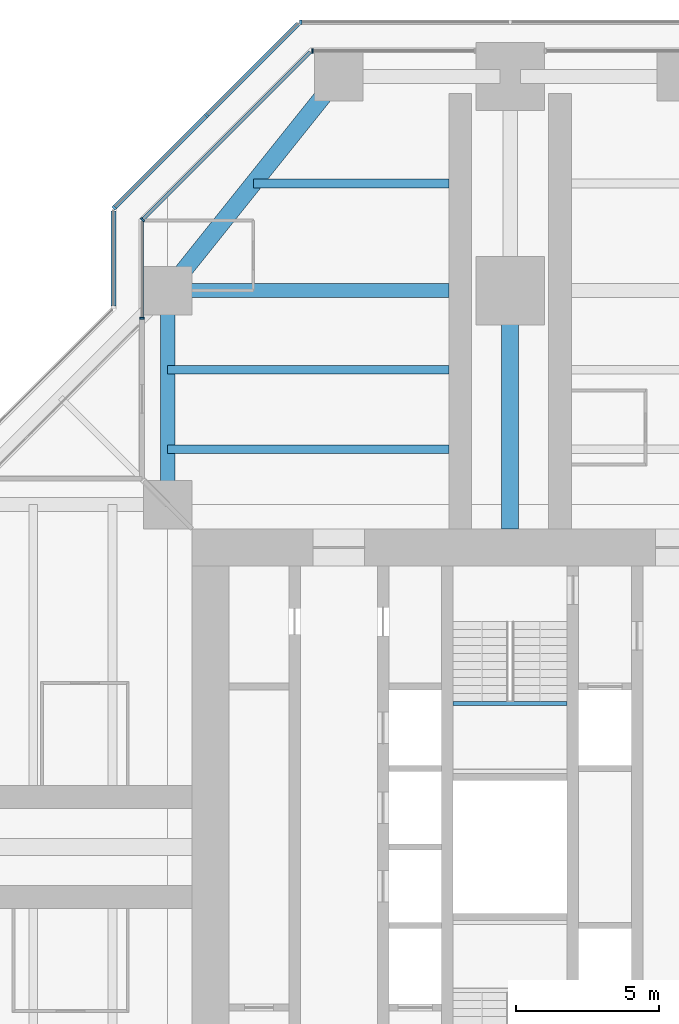
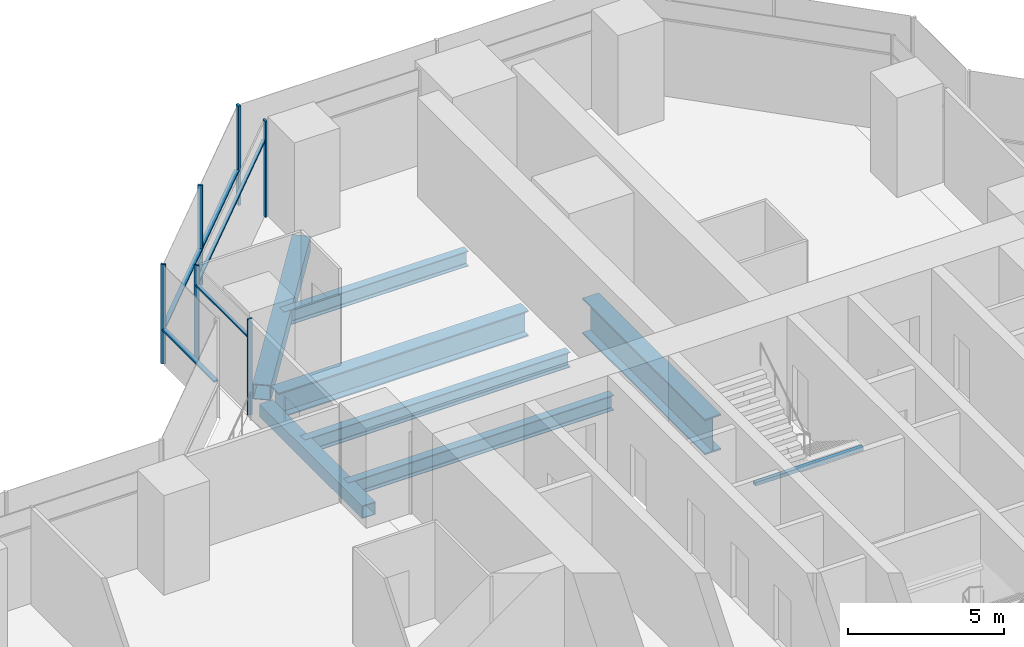
# One storey, part 8 of 20: 11 members, 8 beams, 6 elements without a shape of their own.
"""IFC4 building model written with IfcOpenShell, lengths in metres."""

from ifc_helpers import new_model, si_unit, direction, frame, origin, origin_2d, place, context, subcontext, project, spatial, rectangle, hollow_rectangle, i_section, extrude, material, material_profile, profile_set, type_object, element, aggregate, save


model = new_model("IFC4")

# Units and contexts
model_context = context("Model", 3, precision=1e-05, world=origin(), true_north=direction((0.0, 1.0)))
body_context = subcontext(model_context, "Body", "Model", "MODEL_VIEW")
ifc_project = project(units=[si_unit("LENGTHUNIT", "METRE"), si_unit("AREAUNIT", "SQUARE_METRE"), si_unit("VOLUMEUNIT", "CUBIC_METRE"), si_unit("PLANEANGLEUNIT", "RADIAN"), si_unit("MASSUNIT", "GRAM", prefix="KILO")], contexts=[model_context])

# Site, building, storey
site_placement = place(None, origin())
site = spatial("IfcSite", under=ifc_project, at=site_placement, CompositionType="ELEMENT")
building_placement = place(site_placement, origin())
building = spatial("IfcBuilding", under=site, at=building_placement, Name="Mizan Broadcast Tower", CompositionType="ELEMENT")
storey_placement = place(building_placement, frame((0.0, 0.0, 155.39990234375)))
storey = spatial("IfcBuildingStorey", under=building, at=storey_placement, Name="L35", CompositionType="ELEMENT", Elevation=155.39990234375)

# Beams
ifc_material_1 = material(Name="Steel S355", Category="steel")
ifc_material_profile_1 = material_profile(ifc_material_1, hollow_rectangle(XDim=0.5, YDim=0.5, WallThickness=0.030029296875, at=origin_2d()), Name="BOX 500x500x30")
ifc_profile_set_1 = profile_set([ifc_material_profile_1], Name="Steel S355")
beam_type_1 = type_object("IfcBeamType", Name="EDGE BEAM BOX 500x500x30", PredefinedType="SPANDREL", material=ifc_profile_set_1)
beam_1_placement = place(storey_placement, frame((-12.0, 12.449951171875, -0.3798828125), z_axis=(0.0, 1.0, 0.0), x_axis=(-1.0, 0.0, 0.0)))
element("IfcBeam", 1, at=beam_1_placement, inside=storey, type_object=beam_type_1, Name="Edge beam BOX 500x500x30 L35 north arm", PredefinedType="SPANDREL", context=body_context, shape_type="SweptSolid", body=[
    extrude(hollow_rectangle(XDim=0.5, YDim=0.5, WallThickness=0.030029296875, at=origin_2d()), origin(), (0.0, 0.0, 1.0), 6.60009765625),
])
ifc_material_2 = material(Name="Steel S355", Category="steel")
ifc_material_profile_2 = material_profile(ifc_material_2, hollow_rectangle(XDim=0.60009765625, YDim=0.60009765625, WallThickness=0.030029296875, at=origin_2d()), Name="BOX 600x600x30")
ifc_profile_set_2 = profile_set([ifc_material_profile_2], Name="Steel S355")
beam_type_2 = type_object("IfcBeamType", Name="EDGE BEAM BOX 600x600x30", PredefinedType="SPANDREL", material=ifc_profile_set_2)
beam_2_placement = place(storey_placement, frame((-11.639892578125, 19.949951171875, -0.429931640625), z_axis=(0.624673911726, 0.780885717636, 0.0), x_axis=(-0.780885717636, 0.624673911726, 0.0)))
element("IfcBeam", 2, at=beam_2_placement, inside=storey, type_object=beam_type_2, Name="Edge beam BOX 600x600x30 L35 north arm", PredefinedType="SPANDREL", context=body_context, shape_type="SweptSolid", body=[
    extrude(hollow_rectangle(XDim=0.60009765625, YDim=0.60009765625, WallThickness=0.030029296875, at=origin_2d()), origin(), (0.0, 0.0, 1.0), 8.4521484375),
])
ifc_material_3 = material(Name="Steel S460", Category="steel")
ifc_material_profile_3 = material_profile(ifc_material_3, i_section(OverallWidth=0.5, OverallDepth=1.0, WebThickness=0.02490234375, FlangeThickness=0.050048828125, at=origin_2d()), Name="WPG 1000x500")
ifc_profile_set_3 = profile_set([ifc_material_profile_3], Name="Steel S460")
beam_type_3 = type_object("IfcBeamType", Name="GIRDER WPG 1000x500", PredefinedType="BEAM", material=ifc_profile_set_3)
beam_3_placement = place(storey_placement, frame((-11.408935546875, 19.5, -0.6298828125), z_axis=(1.0, 0.0, 0.0), x_axis=(0.0, 1.0, 0.0)))
element("IfcBeam", 3, at=beam_3_placement, inside=storey, type_object=beam_type_3, Name="Girder WPG 1000x500 L35 north arm", PredefinedType="BEAM", context=body_context, shape_type="SweptSolid", body=[
    extrude(i_section(OverallWidth=0.5, OverallDepth=1.0, WebThickness=0.02490234375, FlangeThickness=0.050048828125, at=origin_2d()), origin(), (0.0, 0.0, 1.0), 9.259033203125),
])
ifc_material_4 = material(Name="Steel S460", Category="steel")
ifc_material_profile_4 = material_profile(ifc_material_4, i_section(OverallWidth=0.60009765625, OverallDepth=1.39990234375, WebThickness=0.02490234375, FlangeThickness=0.06005859375, at=origin_2d()), Name="WPG 1400x600")
ifc_profile_set_4 = profile_set([ifc_material_profile_4], Name="Steel S460")
beam_type_4 = type_object("IfcBeamType", Name="GIRDER WPG 1400x600", PredefinedType="BEAM", material=ifc_profile_set_4)
beam_4_placement = place(storey_placement, frame((0.0, 11.14990234375, -0.829833984375), z_axis=(0.0, 1.0, 0.0), x_axis=(-1.0, 0.0, 0.0)))
element("IfcBeam", 4, at=beam_4_placement, inside=storey, type_object=beam_type_4, Name="Girder WPG 1400x600 L35 north arm", PredefinedType="BEAM", context=body_context, shape_type="SweptSolid", body=[
    extrude(i_section(OverallWidth=0.60009765625, OverallDepth=1.39990234375, WebThickness=0.02490234375, FlangeThickness=0.06005859375, at=origin_2d()), origin(), (0.0, 0.0, 1.0), 7.84912109375),
])

# Curtain wall, member
ifc_material_5 = material(Name="Aluminium framed glazing", Category="aluminium")
curtain_wall_type_1 = type_object("IfcCurtainWallType", Name="INNER SKIN MID ZONE", PredefinedType="USERDEFINED", material=ifc_material_5)
curtain_wall_1_placement = place(storey_placement, origin())
curtain_wall_1 = element("IfcCurtainWall", 5, at=curtain_wall_1_placement, inside=storey, type_object=curtain_wall_type_1, Name="Inner skin mid zone L35 N end", ObjectType="INNER SKIN MID ZONE", PredefinedType="USERDEFINED")
ifc_material_6 = material(Name="Aluminium, pale anodised", Category="aluminium")
ifc_material_profile_5 = material_profile(ifc_material_6, rectangle(XDim=0.159912109375, YDim=0.06005859375, at=origin_2d()), Name="MULLION 160x60")
ifc_profile_set_5 = profile_set([ifc_material_profile_5], Name="Aluminium, pale anodised")
member_type_1 = type_object("IfcMemberType", Name="INNER SKIN MULLION 60x160", PredefinedType="MULLION", material=ifc_profile_set_5)
member_1_placement = place(storey_placement, frame((-6.928466796875, 27.89990234375, 0.0), z_axis=(0.0, 0.0, 1.0), x_axis=(0.0, -1.0, 0.0)))
member_1 = element("IfcMember", 6, at=member_1_placement, type_object=member_type_1, Name="Inner skin mid zone L35 N end mullion 2", PredefinedType="MULLION", context=body_context, shape_type="SweptSolid", body=[
    extrude(rectangle(XDim=0.159912109375, YDim=0.06005859375, at=origin_2d()), origin(), (0.0, 0.0, 1.0), 3.77001953125),
])
aggregate(curtain_wall_1, [member_1])

curtain_wall_2_placement = place(storey_placement, origin())
curtain_wall_2 = element("IfcCurtainWall", 7, at=curtain_wall_2_placement, inside=storey, type_object=curtain_wall_type_1, Name="Inner skin mid zone L35 N chamfer", ObjectType="INNER SKIN MID ZONE", PredefinedType="USERDEFINED")
member_2_placement = place(storey_placement, frame((-12.87890625, 21.979736328125, 0.0), z_axis=(0.0, 0.0, 1.0), x_axis=(0.707106781187, -0.707106781187, 0.0)))
member_2 = element("IfcMember", 8, at=member_2_placement, type_object=member_type_1, Name="Inner skin mid zone L35 N chamfer mullion 2", PredefinedType="MULLION", context=body_context, shape_type="SweptSolid", body=[
    extrude(rectangle(XDim=0.159912109375, YDim=0.06005859375, at=origin_2d()), origin(), (0.0, 0.0, 1.0), 3.77001953125),
])

curtain_wall_3_placement = place(storey_placement, origin())
curtain_wall_3 = element("IfcCurtainWall", 9, at=curtain_wall_3_placement, inside=storey, type_object=curtain_wall_type_1, Name="Inner skin mid zone L35 N side", ObjectType="INNER SKIN MID ZONE", PredefinedType="USERDEFINED")
member_3_placement = place(storey_placement, frame((-12.89990234375, 18.530029296875, 0.0), z_axis=(0.0, 0.0, 1.0), x_axis=(1.0, 0.0, 0.0)))
member_3 = element("IfcMember", 10, at=member_3_placement, type_object=member_type_1, Name="Inner skin mid zone L35 N side mullion 2", PredefinedType="MULLION", context=body_context, shape_type="SweptSolid", body=[
    extrude(rectangle(XDim=0.159912109375, YDim=0.06005859375, at=origin_2d()), origin(), (0.0, 0.0, 1.0), 3.77001953125),
])

# Member
ifc_material_7 = material(Name="Aluminium, pale anodised", Category="aluminium")
ifc_material_profile_6 = material_profile(ifc_material_7, rectangle(XDim=0.1201171875, YDim=0.06005859375, at=origin_2d()), Name="TRANSOM 120x60")
ifc_profile_set_6 = profile_set([ifc_material_profile_6], Name="Aluminium, pale anodised")
member_type_2 = type_object("IfcMemberType", Name="INNER SKIN TRANSOM 60x120", PredefinedType="USERDEFINED", material=ifc_profile_set_6)
member_4_placement = place(storey_placement, frame((-7.0009765625, 27.857666015625, 3.030029296875), z_axis=(-0.707106781187, -0.707106781187, 0.0), x_axis=(0.707106781187, -0.707106781187, 0.0)))
member_4 = element("IfcMember", 11, at=member_4_placement, type_object=member_type_2, Name="Inner skin mid zone L35 N chamfer transom 1.1", ObjectType="TRANSOM", PredefinedType="USERDEFINED", context=body_context, shape_type="SweptSolid", body=[
    extrude(rectangle(XDim=0.1201171875, YDim=0.06005859375, at=origin_2d()), origin(), (0.0, 0.0, 1.0), 8.28271484375),
])

aggregate(curtain_wall_2, [member_2, member_4])

member_5_placement = place(storey_placement, frame((-12.89990234375, 21.898681640625, 3.030029296875), z_axis=(0.0, -1.0, 0.0), x_axis=(1.0, 0.0, 0.0)))
member_5 = element("IfcMember", 12, at=member_5_placement, type_object=member_type_2, Name="Inner skin mid zone L35 N side transom 1.1", ObjectType="TRANSOM", PredefinedType="USERDEFINED", context=body_context, shape_type="SweptSolid", body=[
    extrude(rectangle(XDim=0.1201171875, YDim=0.06005859375, at=origin_2d()), origin(), (0.0, 0.0, 1.0), 3.338623046875),
])

aggregate(curtain_wall_3, [member_3, member_5])

# Beam
ifc_material_8 = material(Name="Steel S355", Category="steel")
ifc_material_profile_7 = material_profile(ifc_material_8, hollow_rectangle(XDim=0.14990234375, YDim=0.14990234375, WallThickness=0.008056640625, InnerFilletRadius=0.008056640625, OuterFilletRadius=0.011962890625, at=origin_2d()), Name="SHS 150x150x8")
ifc_profile_set_7 = profile_set([ifc_material_profile_7], Name="Steel S355")
beam_type_5 = type_object("IfcBeamType", Name="LANDING TRIMMER SHS 150x150x8", PredefinedType="BEAM", material=ifc_profile_set_7)
beam_5_placement = place(storey_placement, frame((2.0, 5.02490234375, 1.675048828125), z_axis=(-1.0, 0.0, 0.0), x_axis=(0.0, -1.0, 0.0)))
element("IfcBeam", 13, at=beam_5_placement, inside=storey, type_object=beam_type_5, Name="Stair B landing trimmer L35", PredefinedType="BEAM", context=body_context, shape_type="SweptSolid", body=[
    extrude(hollow_rectangle(XDim=0.14990234375, YDim=0.14990234375, WallThickness=0.008056640625, InnerFilletRadius=0.008056640625, OuterFilletRadius=0.011962890625, at=origin_2d()), origin(), (0.0, 0.0, 1.0), 4.0),
])

# Curtain wall, member
ifc_material_9 = material(Name="Aluminium framed glazing", Category="aluminium")
curtain_wall_type_2 = type_object("IfcCurtainWallType", Name="OUTER SKIN", PredefinedType="USERDEFINED", material=ifc_material_9)
curtain_wall_4_placement = place(storey_placement, origin())
curtain_wall_4 = element("IfcCurtainWall", 14, at=curtain_wall_4_placement, inside=storey, type_object=curtain_wall_type_2, Name="Outer skin L35 N end", ObjectType="OUTER SKIN", PredefinedType="USERDEFINED")
ifc_material_10 = material(Name="Aluminium, pale anodised", Category="aluminium")
ifc_material_profile_8 = material_profile(ifc_material_10, rectangle(XDim=0.159912109375, YDim=0.080078125, at=origin_2d()), Name="MULLION 160x80")
ifc_profile_set_8 = profile_set([ifc_material_profile_8], Name="Aluminium, pale anodised")
member_type_3 = type_object("IfcMemberType", Name="OUTER SKIN MULLION 80x160", PredefinedType="MULLION", material=ifc_profile_set_8)
member_6_placement = place(storey_placement, frame((-7.332763671875, 28.89990234375, 0.0), z_axis=(0.0, 0.0, 1.0), x_axis=(0.0, -1.0, 0.0)))
member_6 = element("IfcMember", 15, at=member_6_placement, type_object=member_type_3, Name="Outer skin L35 N end mullion 3", PredefinedType="MULLION", context=body_context, shape_type="SweptSolid", body=[
    extrude(rectangle(XDim=0.159912109375, YDim=0.080078125, at=origin_2d()), origin(), (0.0, 0.0, 1.0), 3.900146484375),
])
aggregate(curtain_wall_4, [member_6])

# Curtain wall, members
curtain_wall_5_placement = place(storey_placement, origin())
curtain_wall_5 = element("IfcCurtainWall", 16, at=curtain_wall_5_placement, inside=storey, type_object=curtain_wall_type_2, Name="Outer skin L35 N chamfer", ObjectType="OUTER SKIN", PredefinedType="USERDEFINED")
member_7_placement = place(storey_placement, frame((-10.636474609375, 25.636474609375, 0.0), z_axis=(0.0, 0.0, 1.0), x_axis=(0.707106781187, -0.707106781187, 0.0)))
member_7 = element("IfcMember", 17, at=member_7_placement, type_object=member_type_3, Name="Outer skin L35 N chamfer mullion 2", PredefinedType="MULLION", context=body_context, shape_type="SweptSolid", body=[
    extrude(rectangle(XDim=0.159912109375, YDim=0.080078125, at=origin_2d()), origin(), (0.0, 0.0, 1.0), 3.900146484375),
])
member_8_placement = place(storey_placement, frame((-13.871826171875, 22.401123046875, 0.0), z_axis=(0.0, 0.0, 1.0), x_axis=(0.707106781187, -0.707106781187, 0.0)))
member_8 = element("IfcMember", 18, at=member_8_placement, type_object=member_type_3, Name="Outer skin L35 N chamfer mullion 3", PredefinedType="MULLION", context=body_context, shape_type="SweptSolid", body=[
    extrude(rectangle(XDim=0.159912109375, YDim=0.080078125, at=origin_2d()), origin(), (0.0, 0.0, 1.0), 3.900146484375),
])
ifc_material_11 = material(Name="Aluminium, pale anodised", Category="aluminium")
ifc_material_profile_9 = material_profile(ifc_material_11, rectangle(XDim=0.159912109375, YDim=0.06005859375, at=origin_2d()), Name="TRANSOM 160x60")
ifc_profile_set_9 = profile_set([ifc_material_profile_9], Name="Aluminium, pale anodised")
member_type_4 = type_object("IfcMemberType", Name="OUTER SKIN TRANSOM 60x160", PredefinedType="USERDEFINED", material=ifc_profile_set_9)
member_9_placement = place(storey_placement, frame((-7.429443359375, 28.843505859375, 1.400146484375), z_axis=(-0.707106781187, -0.707106781187, 0.0), x_axis=(0.707106781187, -0.707106781187, 0.0)))
member_9 = element("IfcMember", 19, at=member_9_placement, type_object=member_type_4, Name="Outer skin L35 N chamfer transom 1.1", ObjectType="TRANSOM", PredefinedType="USERDEFINED", context=body_context, shape_type="SweptSolid", body=[
    extrude(rectangle(XDim=0.159912109375, YDim=0.06005859375, at=origin_2d()), origin(), (0.0, 0.0, 1.0), 4.495361328125),
])
member_10_placement = place(storey_placement, frame((-10.664794921875, 25.608154296875, 1.400146484375), z_axis=(-0.707106781187, -0.707106781187, 0.0), x_axis=(0.707106781187, -0.707106781187, 0.0)))
member_10 = element("IfcMember", 20, at=member_10_placement, type_object=member_type_4, Name="Outer skin L35 N chamfer transom 2.1", ObjectType="TRANSOM", PredefinedType="USERDEFINED", context=body_context, shape_type="SweptSolid", body=[
    extrude(rectangle(XDim=0.159912109375, YDim=0.06005859375, at=origin_2d()), origin(), (0.0, 0.0, 1.0), 4.495361328125),
])
aggregate(curtain_wall_5, [member_7, member_8, member_9, member_10])

# Curtain wall, member
curtain_wall_6_placement = place(storey_placement, origin())
curtain_wall_6 = element("IfcCurtainWall", 21, at=curtain_wall_6_placement, inside=storey, type_object=curtain_wall_type_2, Name="Outer skin L35 N side", ObjectType="OUTER SKIN", PredefinedType="USERDEFINED")
member_11_placement = place(storey_placement, frame((-13.89990234375, 22.292724609375, 1.400146484375), z_axis=(0.0, -1.0, 0.0), x_axis=(1.0, 0.0, 0.0)))
member_11 = element("IfcMember", 22, at=member_11_placement, type_object=member_type_4, Name="Outer skin L35 N side transom 1.1", ObjectType="TRANSOM", PredefinedType="USERDEFINED", context=body_context, shape_type="SweptSolid", body=[
    extrude(rectangle(XDim=0.159912109375, YDim=0.06005859375, at=origin_2d()), origin(), (0.0, 0.0, 1.0), 3.33984375),
])
aggregate(curtain_wall_6, [member_11])

# Beams
ifc_material_12 = material(Name="Steel S355", Category="steel")
ifc_material_profile_10 = material_profile(ifc_material_12, i_section(OverallWidth=0.300048828125, OverallDepth=0.590087890625, WebThickness=0.012939453125, FlangeThickness=0.02490234375, FilletRadius=0.027099609375, at=origin_2d()), Name="HEA 600")
ifc_profile_set_10 = profile_set([ifc_material_profile_10], Name="Steel S355")
beam_type_6 = type_object("IfcBeamType", Name="SECONDARY BEAM HEA 600", PredefinedType="JOIST", material=ifc_profile_set_10)
for number, where, z_axis, x_axis, name in (
    (23, (-12.0, 13.933349609375, -0.4248046875), (1.0, 0.0, 0.0), (0.0, 1.0, 0.0), "Secondary beam HEA 600 L35 north arm"),
    (24, (-12.0, 16.716552734375, -0.4248046875), (1.0, 0.0, 0.0), (0.0, 1.0, 0.0), "Secondary beam HEA 600 L35 north arm"),
):
    element("IfcBeam", number, at=place(storey_placement, frame(where, z_axis=z_axis, x_axis=x_axis)), inside=storey, type_object=beam_type_6, Name=name, PredefinedType="JOIST", context=body_context, shape_type="SweptSolid", body=[
        extrude(i_section(OverallWidth=0.300048828125, OverallDepth=0.590087890625, WebThickness=0.012939453125, FlangeThickness=0.02490234375, FilletRadius=0.027099609375, at=origin_2d()), origin(), (0.0, 0.0, 1.0), 9.85009765625),
    ])
beam_6_placement = place(storey_placement, frame((-9.0, 23.25, -0.4248046875), z_axis=(1.0, 0.0, 0.0), x_axis=(0.0, 1.0, 0.0)))
element("IfcBeam", 25, at=beam_6_placement, inside=storey, type_object=beam_type_6, Name="Secondary beam HEA 600 L35 north arm", PredefinedType="JOIST", context=body_context, shape_type="SweptSolid", body=[
    extrude(i_section(OverallWidth=0.300048828125, OverallDepth=0.590087890625, WebThickness=0.012939453125, FlangeThickness=0.02490234375, FilletRadius=0.027099609375, at=origin_2d()), origin(), (0.0, 0.0, 1.0), 6.85009765625),
])

save(model, "model.ifc")
